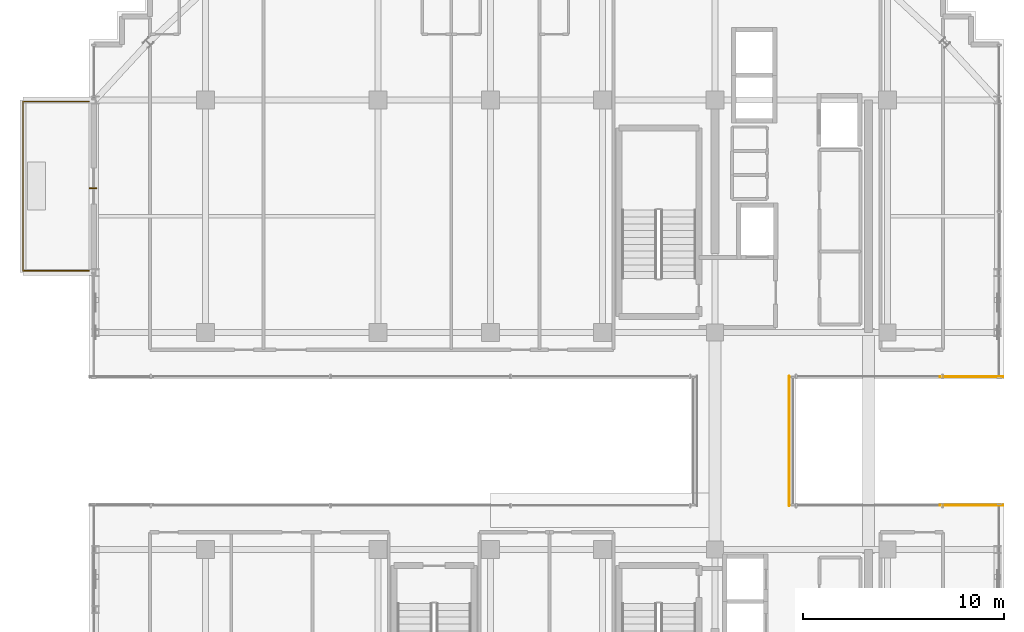
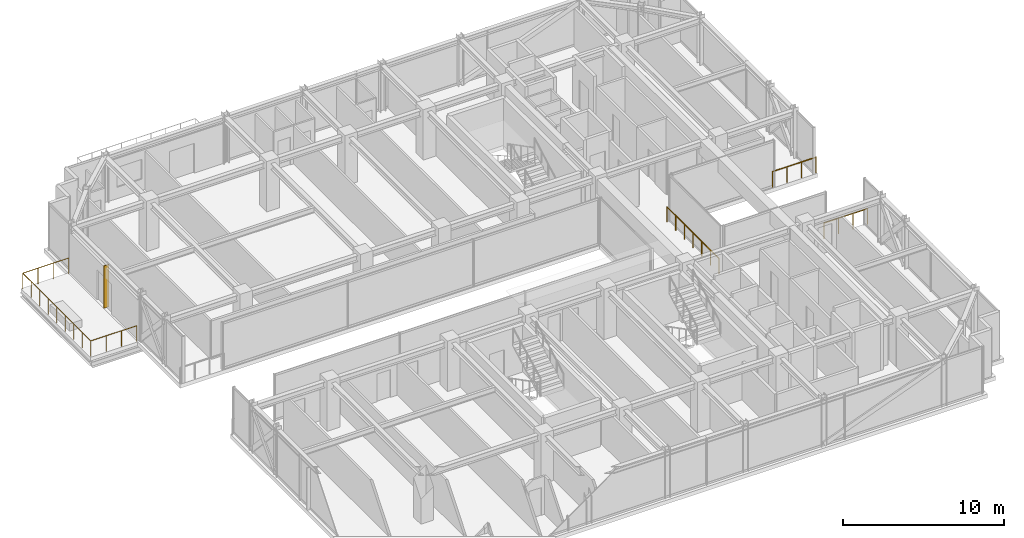
# One storey, part 39 of 41: 4 railings, 1 shading device.
"""IFC4 building model written with IfcOpenShell, lengths in metres."""

from ifc_helpers import new_model, si_unit, direction, frame, origin, origin_2d, place, context, subcontext, project, spatial, rectangle, circle, extrude, source, transform, mapped, material, layer, layer_set, type_object, element, save


model = new_model("IFC4")

# Units and contexts
model_context = context("Model", 3, precision=1e-05, world=origin(), true_north=direction((0.0, 1.0)))
body_context = subcontext(model_context, "Body", "Model", "MODEL_VIEW")
ifc_project = project(units=[si_unit("LENGTHUNIT", "METRE"), si_unit("AREAUNIT", "SQUARE_METRE"), si_unit("VOLUMEUNIT", "CUBIC_METRE"), si_unit("PLANEANGLEUNIT", "RADIAN"), si_unit("MASSUNIT", "GRAM", prefix="KILO")], contexts=[model_context])

# Site, building, storey
site_placement = place(None, origin())
site = spatial("IfcSite", under=ifc_project, at=site_placement, CompositionType="ELEMENT")
building_placement = place(site_placement, origin())
building = spatial("IfcBuilding", under=site, at=building_placement, Name="Nahalor Promenade Grand Hotel", CompositionType="ELEMENT")
storey_placement = place(building_placement, frame((0.0, 0.0, 304.199951171875)))
storey = spatial("IfcBuildingStorey", under=building, at=storey_placement, Name="L78", CompositionType="ELEMENT", Elevation=304.199951171875)

# Railings
ifc_material = material(Name="Anodised Bronze Aluminium EN AW-6063 T6", Category="aluminium")
railing_type_1 = type_object("IfcRailingType", Name="Bronze Balcony Guardrail 1200 mm", PredefinedType="GUARDRAIL", material=ifc_material)
for number, where, name in (
    (1, (19.6201171875, -3.199951171875, 0.0), "L78 Oculus Void Edge Guardrail ES"),
    (2, (19.6201171875, 3.199951171875, 0.0), "L78 Oculus Void Edge Guardrail EN"),
):
    element("IfcRailing", number, at=place(storey_placement, frame(where)), inside=storey, type_object=railing_type_1, Name=name, PredefinedType="GUARDRAIL", context=body_context, shape_type="SweptSolid", body=[
        extrude(circle(Radius=0.024048, at=origin_2d()), frame((0.0, 0.0, 1.17578125), z_axis=(1.0, 0.0, 0.0), x_axis=(0.0, 1.0, 0.0)), (0.0, 0.0, 1.0), 3.119873046875),
        extrude(circle(Radius=0.020996, at=origin_2d()), origin(), (0.0, 0.0, 1.0), 1.14990234375),
        extrude(circle(Radius=0.020996, at=origin_2d()), frame((1.0400390625, 0.0, 0.0)), (0.0, 0.0, 1.0), 1.14990234375),
        extrude(circle(Radius=0.020996, at=origin_2d()), frame((2.079833984375, 0.0, 0.0)), (0.0, 0.0, 1.0), 1.14990234375),
        extrude(circle(Radius=0.020996, at=origin_2d()), frame((3.119873046875, 0.0, 0.0)), (0.0, 0.0, 1.0), 1.14990234375),
    ])
railing_1_placement = place(storey_placement, frame((-22.800048828125, 8.47998046875, 0.0)))
element("IfcRailing", 3, at=railing_1_placement, inside=storey, type_object=railing_type_1, Name="L78 Balcony Guardrail 2", PredefinedType="GUARDRAIL", context=body_context, shape_type="SweptSolid", body=[
    extrude(circle(Radius=0.024048, at=origin_2d()), frame((0.0, 0.0, 1.17578125), z_axis=(-1.0, 0.0, 0.0), x_axis=(0.0, -1.0, 0.0)), (0.0, 0.0, 1.0), 3.2880859375),
    extrude(circle(Radius=0.024048, at=origin_2d()), frame((-3.2900390625, 0.001953125, 1.17578125), z_axis=(0.0, 1.0, 0.0), x_axis=(-1.0, 0.0, 0.0)), (0.0, 0.0, 1.0), 8.43603515625),
    extrude(circle(Radius=0.024048, at=origin_2d()), frame((-3.2880859375, 8.43994140625, 1.17578125), z_axis=(1.0, 0.0, 0.0), x_axis=(0.0, 1.0, 0.0)), (0.0, 0.0, 1.0), 3.2880859375),
    extrude(circle(Radius=0.020996, at=origin_2d()), origin(), (0.0, 0.0, 1.0), 1.14990234375),
    extrude(circle(Radius=0.020996, at=origin_2d()), frame((-1.0966796875, 0.0, 0.0)), (0.0, 0.0, 1.0), 1.14990234375),
    extrude(circle(Radius=0.020996, at=origin_2d()), frame((-2.193359375, 0.0, 0.0)), (0.0, 0.0, 1.0), 1.14990234375),
    extrude(circle(Radius=0.020996, at=origin_2d()), frame((-3.2900390625, 0.0, 0.0)), (0.0, 0.0, 1.0), 1.14990234375),
    extrude(circle(Radius=0.020996, at=origin_2d()), frame((-3.2900390625, 1.054931640625, 0.0)), (0.0, 0.0, 1.0), 1.14990234375),
    extrude(circle(Radius=0.020996, at=origin_2d()), frame((-3.2900390625, 2.10986328125, 0.0)), (0.0, 0.0, 1.0), 1.14990234375),
    extrude(circle(Radius=0.020996, at=origin_2d()), frame((-3.2900390625, 3.1650390625, 0.0)), (0.0, 0.0, 1.0), 1.14990234375),
    extrude(circle(Radius=0.020996, at=origin_2d()), frame((-3.2900390625, 4.219970703125, 0.0)), (0.0, 0.0, 1.0), 1.14990234375),
    extrude(circle(Radius=0.020996, at=origin_2d()), frame((-3.2900390625, 5.27490234375, 0.0)), (0.0, 0.0, 1.0), 1.14990234375),
    extrude(circle(Radius=0.020996, at=origin_2d()), frame((-3.2900390625, 6.330078125, 0.0)), (0.0, 0.0, 1.0), 1.14990234375),
    extrude(circle(Radius=0.020996, at=origin_2d()), frame((-3.2900390625, 7.385009765625, 0.0)), (0.0, 0.0, 1.0), 1.14990234375),
    extrude(circle(Radius=0.020996, at=origin_2d()), frame((-3.2900390625, 8.43994140625, 0.0)), (0.0, 0.0, 1.0), 1.14990234375),
    extrude(circle(Radius=0.020996, at=origin_2d()), frame((-2.193359375, 8.43994140625, 0.0)), (0.0, 0.0, 1.0), 1.14990234375),
    extrude(circle(Radius=0.020996, at=origin_2d()), frame((-1.0966796875, 8.43994140625, 0.0)), (0.0, 0.0, 1.0), 1.14990234375),
    extrude(circle(Radius=0.020996, at=origin_2d()), frame((0.0, 8.43994140625, 0.0)), (0.0, 0.0, 1.0), 1.14990234375),
])
railing_type_2 = type_object("IfcRailingType", Name="Bronze Sky Balustrade 1150 mm", PredefinedType="BALUSTRADE", material=ifc_material)
railing_2_placement = place(storey_placement, frame((12.10009765625, -3.219970703125, 0.0)))
element("IfcRailing", 4, at=railing_2_placement, inside=storey, type_object=railing_type_2, Name="BL-L78-BRG-E", PredefinedType="BALUSTRADE", context=body_context, shape_type="SweptSolid", body=[
    extrude(circle(Radius=0.024048, at=origin_2d()), frame((0.0, 0.0, 1.1259765625), z_axis=(0.0, 1.0, 0.0), x_axis=(-1.0, 0.0, 0.0)), (0.0, 0.0, 1.0), 6.43994140625),
    extrude(circle(Radius=0.020996, at=origin_2d()), origin(), (0.0, 0.0, 1.0), 1.099853515625),
    extrude(circle(Radius=0.020996, at=origin_2d()), frame((0.0, 1.0732421875, 0.0)), (0.0, 0.0, 1.0), 1.099853515625),
    extrude(circle(Radius=0.020996, at=origin_2d()), frame((0.0, 2.146728515625, 0.0)), (0.0, 0.0, 1.0), 1.099853515625),
    extrude(circle(Radius=0.020996, at=origin_2d()), frame((0.0, 3.219970703125, 0.0)), (0.0, 0.0, 1.0), 1.099853515625),
    extrude(circle(Radius=0.020996, at=origin_2d()), frame((0.0, 4.293212890625, 0.0)), (0.0, 0.0, 1.0), 1.099853515625),
    extrude(circle(Radius=0.020996, at=origin_2d()), frame((0.0, 5.36669921875, 0.0)), (0.0, 0.0, 1.0), 1.099853515625),
    extrude(circle(Radius=0.020996, at=origin_2d()), frame((0.0, 6.43994140625, 0.0)), (0.0, 0.0, 1.0), 1.099853515625),
])

# Shading device
ifc_layer = layer(ifc_material, 0.06005859375)
ifc_layer_set = layer_set([ifc_layer], Name="Anodised Bronze Aluminium EN AW-6063 T6")
shading_device_type = type_object("IfcShadingDeviceType", Name="Shade-SolarFin-Bronze", PredefinedType="JALOUSIE", material=ifc_layer_set)
shared_shape = source(origin(), body_context, "Body", "SweptSolid", [
    extrude(rectangle(XDim=0.3798828125, YDim=0.06005859375, at=origin_2d()), origin(), (0.0, 0.0, 1.0), 3.199951171875),
])
shading_device_placement = place(storey_placement, frame((-22.610107421875, 12.60009765625, 0.0), z_axis=(0.0, 0.0, 1.0), x_axis=(1.0, 0.0, 0.0)))
element("IfcShadingDevice", 5, at=shading_device_placement, inside=storey, type_object=shading_device_type, Name="JAL-L78-W2", PredefinedType="JALOUSIE", context=body_context, shape_type="MappedRepresentation", body=[
    mapped(shared_shape, transform((0.0, 0.0, 0.0), scale=1.0)),
])

save(model, "model.ifc")
